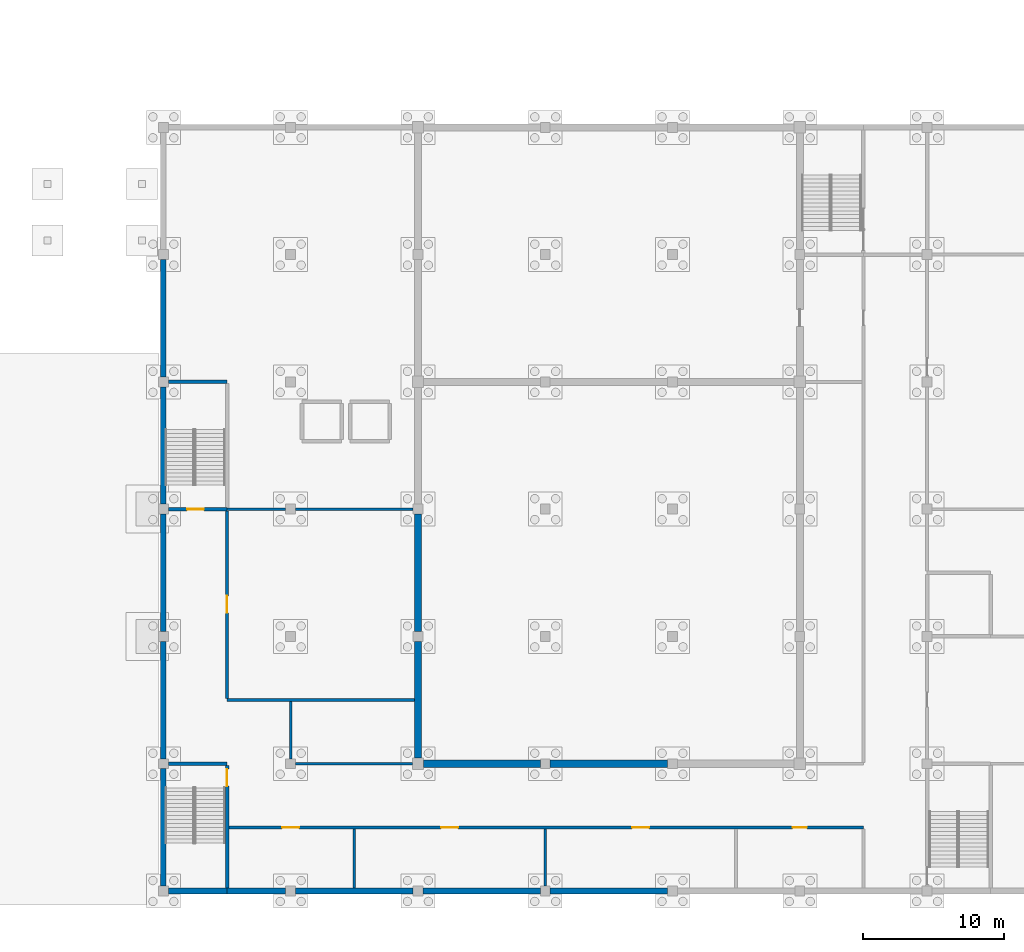
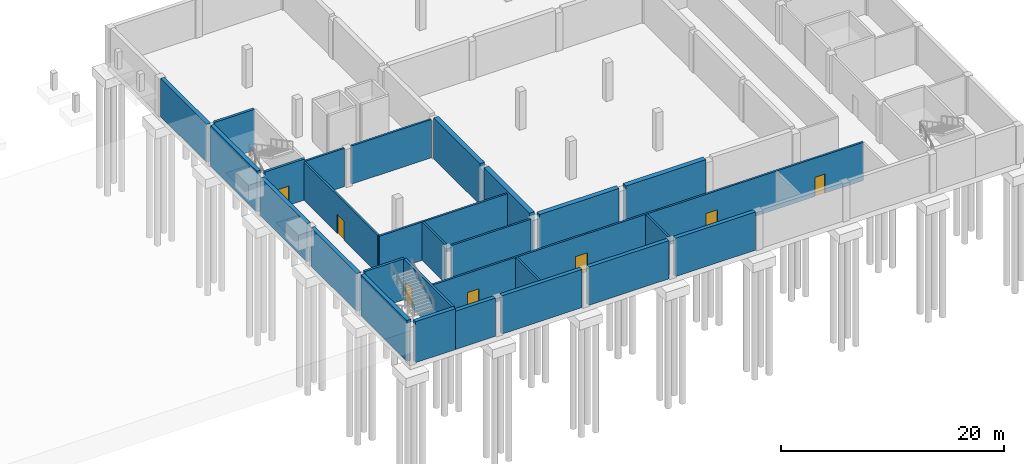
# One storey, part 6 of 12: 27 walls, 7 doors, 7 openings.
"""IFC4 building model written with IfcOpenShell, lengths in metres."""

from ifc_helpers import new_model, si_unit, direction, frame, frame_2d, origin, place, context, subcontext, project, spatial, rectangle, extrude, material, layer, layer_set, type_object, element, fill, save


model = new_model("IFC4")

# Units and contexts
model_context = context("Model", 3, precision=1e-05, world=origin(), true_north=direction((0.0, 1.0)))
body_context = subcontext(model_context, "Body", "Model", "MODEL_VIEW")
ifc_project = project(units=[si_unit("LENGTHUNIT", "METRE"), si_unit("AREAUNIT", "SQUARE_METRE"), si_unit("VOLUMEUNIT", "CUBIC_METRE"), si_unit("PLANEANGLEUNIT", "RADIAN"), si_unit("MASSUNIT", "GRAM", prefix="KILO")], contexts=[model_context])

# Site, building, storey
site_placement = place(None, origin())
site = spatial("IfcSite", under=ifc_project, at=site_placement, CompositionType="ELEMENT")
building_placement = place(site_placement, origin())
building = spatial("IfcBuilding", under=site, at=building_placement, Name="Firuza Court", CompositionType="ELEMENT")
storey_placement = place(building_placement, frame((0.0, 0.0, -4.5)))
storey = spatial("IfcBuildingStorey", under=building, at=storey_placement, Name="B1", CompositionType="ELEMENT", Elevation=-4.5)

# Wall, openings, doors
ifc_material_1 = material(Name="Blockwork", Category="masonry")
ifc_layer_1 = layer(ifc_material_1, 0.199951171875)
ifc_layer_set_1 = layer_set([ifc_layer_1], Name="Blockwork")
wall_type_1 = type_object("IfcWallType", Name="HALL PARTITION 200", PredefinedType="STANDARD", material=ifc_layer_set_1)
wall_1_placement = place(storey_placement, frame((94.625, -4.5, 0.0), z_axis=(0.0, 0.0, 1.0), x_axis=(1.0, 0.0, 0.0)))
wall_1 = element("IfcWall", 1, at=wall_1_placement, inside=storey, type_object=wall_type_1, Name="Wall B1.10", PredefinedType="STANDARD", context=body_context, shape_type="SweptSolid", body=[
    extrude(rectangle(XDim=44.875, YDim=0.199951171875, at=frame_2d((22.4375, 0.0))), origin(), (0.0, 0.0, 1.0), 4.199951171875),
])
opening_1_placement = place(wall_1_placement, frame((3.77001953125, 0.0, 0.0)))
opening_1 = element("IfcOpeningElement", 2, at=opening_1_placement, cuts=wall_1, Name="Opening H007", PredefinedType="OPENING", context=body_context, shape_type="SweptSolid", body=[
    extrude(rectangle(XDim=1.199951171875, YDim=2.10009765625, at=frame_2d((0.60009765625, 1.050048828125))), frame((0.0, 0.11181640625, 0.0), z_axis=(0.0, -1.0, 0.0), x_axis=(1.0, 0.0, 0.0)), (0.0, 0.0, 1.0), 0.223876953125),
])
opening_2_placement = place(wall_1_placement, frame((15.02001953125, 0.0, 0.0)))
opening_2 = element("IfcOpeningElement", 3, at=opening_2_placement, cuts=wall_1, Name="Opening H008", PredefinedType="OPENING", context=body_context, shape_type="SweptSolid", body=[
    extrude(rectangle(XDim=1.199951171875, YDim=2.10009765625, at=frame_2d((0.60009765625, 1.050048828125))), frame((0.0, 0.11181640625, 0.0), z_axis=(0.0, -1.0, 0.0), x_axis=(1.0, 0.0, 0.0)), (0.0, 0.0, 1.0), 0.223876953125),
])
opening_3_placement = place(wall_1_placement, frame((28.52001953125, 0.0, 0.0)))
opening_3 = element("IfcOpeningElement", 4, at=opening_3_placement, cuts=wall_1, Name="Opening H009", PredefinedType="OPENING", context=body_context, shape_type="SweptSolid", body=[
    extrude(rectangle(XDim=1.199951171875, YDim=2.10009765625, at=frame_2d((0.60009765625, 1.050048828125))), frame((0.0, 0.11181640625, 0.0), z_axis=(0.0, -1.0, 0.0), x_axis=(1.0, 0.0, 0.0)), (0.0, 0.0, 1.0), 0.223876953125),
])
opening_4_placement = place(wall_1_placement, frame((39.8701171875, 0.0, 0.0)))
opening_4 = element("IfcOpeningElement", 5, at=opening_4_placement, cuts=wall_1, Name="Opening H010", PredefinedType="OPENING", context=body_context, shape_type="SweptSolid", body=[
    extrude(rectangle(XDim=1.0, YDim=2.10009765625, at=frame_2d((0.5, 1.050048828125))), frame((0.0, 0.11181640625, 0.0), z_axis=(0.0, -1.0, 0.0), x_axis=(1.0, 0.0, 0.0)), (0.0, 0.0, 1.0), 0.223876953125),
])
ifc_material_2 = material(Name="Timber", Category="wood")
door_type_1 = type_object("IfcDoorType", Name="HALL DOOR 1000X2100", OperationType="SINGLE_SWING_LEFT", PredefinedType="DOOR", material=ifc_material_2)
door_1_placement = place(opening_4_placement, frame((1.0, 0.0, 0.0), z_axis=(0.0, 0.0, 1.0), x_axis=(-1.0, 0.0, 0.0)))
door_1 = element("IfcDoor", 6, at=door_1_placement, inside=storey, type_object=door_type_1, Name="Door Instrument store", OperationType="SINGLE_SWING_RIGHT", OverallHeight=2.10009765625, OverallWidth=1.0, PredefinedType="DOOR", context=body_context, shape_type="SweptSolid", body=[
    extrude(rectangle(XDim=1.0, YDim=2.10009765625, at=frame_2d((0.5, 1.050048828125))), frame((0.0, 0.02490234375, 0.0), z_axis=(0.0, -1.0, 0.0), x_axis=(1.0, 0.0, 0.0)), (0.0, 0.0, 1.0), 0.050048828125),
])
fill(opening_4, door_1)
ifc_material_3 = material(Name="Timber", Category="wood")
door_type_2 = type_object("IfcDoorType", Name="HALL DOOR 1200X2100", OperationType="SINGLE_SWING_LEFT", PredefinedType="DOOR", material=ifc_material_3)
door_2_placement = place(opening_1_placement, frame((1.199951171875, 0.0, 0.0), z_axis=(0.0, 0.0, 1.0), x_axis=(-1.0, 0.0, 0.0)))
door_2 = element("IfcDoor", 7, at=door_2_placement, inside=storey, type_object=door_type_2, Name="Door Switch room", OperationType="SINGLE_SWING_RIGHT", OverallHeight=2.10009765625, OverallWidth=1.199951171875, PredefinedType="DOOR", context=body_context, shape_type="SweptSolid", body=[
    extrude(rectangle(XDim=1.199951171875, YDim=2.10009765625, at=frame_2d((0.60009765625, 1.050048828125))), frame((0.0, 0.02490234375, 0.0), z_axis=(0.0, -1.0, 0.0), x_axis=(1.0, 0.0, 0.0)), (0.0, 0.0, 1.0), 0.050048828125),
])
fill(opening_1, door_2)
door_3_placement = place(opening_2_placement, frame((1.199951171875, 0.0, 0.0), z_axis=(0.0, 0.0, 1.0), x_axis=(-1.0, 0.0, 0.0)))
door_3 = element("IfcDoor", 8, at=door_3_placement, inside=storey, type_object=door_type_2, Name="Door Chiller plant room", OperationType="SINGLE_SWING_RIGHT", OverallHeight=2.10009765625, OverallWidth=1.199951171875, PredefinedType="DOOR", context=body_context, shape_type="SweptSolid", body=[
    extrude(rectangle(XDim=1.199951171875, YDim=2.10009765625, at=frame_2d((0.60009765625, 1.050048828125))), frame((0.0, 0.02490234375, 0.0), z_axis=(0.0, -1.0, 0.0), x_axis=(1.0, 0.0, 0.0)), (0.0, 0.0, 1.0), 0.050048828125),
])
fill(opening_2, door_3)
door_4_placement = place(opening_3_placement, frame((1.199951171875, 0.0, 0.0), z_axis=(0.0, 0.0, 1.0), x_axis=(-1.0, 0.0, 0.0)))
door_4 = element("IfcDoor", 9, at=door_4_placement, inside=storey, type_object=door_type_2, Name="Door Ventilation plant room", OperationType="SINGLE_SWING_RIGHT", OverallHeight=2.10009765625, OverallWidth=1.199951171875, PredefinedType="DOOR", context=body_context, shape_type="SweptSolid", body=[
    extrude(rectangle(XDim=1.199951171875, YDim=2.10009765625, at=frame_2d((0.60009765625, 1.050048828125))), frame((0.0, 0.02490234375, 0.0), z_axis=(0.0, -1.0, 0.0), x_axis=(1.0, 0.0, 0.0)), (0.0, 0.0, 1.0), 0.050048828125),
])
fill(opening_3, door_4)

# Walls
wall_2_placement = place(storey_placement, frame((99.35009765625, 0.0, 0.0), z_axis=(0.0, 0.0, 1.0), x_axis=(1.0, 0.0, 0.0)))
element("IfcWall", 10, at=wall_2_placement, inside=storey, type_object=wall_type_1, Name="Wall B1.12", PredefinedType="STANDARD", context=body_context, shape_type="SweptSolid", body=[
    extrude(rectangle(XDim=8.25, YDim=0.199951171875, at=frame_2d((4.125, 0.0))), origin(), (0.0, 0.0, 1.0), 4.199951171875),
])
wall_3_placement = place(storey_placement, frame((94.5, 4.5, 0.0), z_axis=(0.0, 0.0, 1.0), x_axis=(1.0, 0.0, 0.0)))
element("IfcWall", 11, at=wall_3_placement, inside=storey, type_object=wall_type_1, Name="Wall B1.19", PredefinedType="STANDARD", context=body_context, shape_type="SweptSolid", body=[
    extrude(rectangle(XDim=13.25, YDim=0.199951171875, at=frame_2d((6.625, 0.0))), origin(), (0.0, 0.0, 1.0), 4.199951171875),
])
wall_4_placement = place(storey_placement, frame((94.5, 18.0, 0.0), z_axis=(0.0, 0.0, 1.0), x_axis=(1.0, 0.0, 0.0)))
element("IfcWall", 12, at=wall_4_placement, inside=storey, type_object=wall_type_1, Name="Wall B1.24", PredefinedType="STANDARD", context=body_context, shape_type="SweptSolid", body=[
    extrude(rectangle(XDim=4.14990234375, YDim=0.199951171875, at=frame_2d((2.074951171875, 0.0))), origin(), (0.0, 0.0, 1.0), 4.199951171875),
])
wall_5_placement = place(storey_placement, frame((99.35009765625, 18.0, 0.0), z_axis=(0.0, 0.0, 1.0), x_axis=(1.0, 0.0, 0.0)))
element("IfcWall", 13, at=wall_5_placement, inside=storey, type_object=wall_type_1, Name="Wall B1.25", PredefinedType="STANDARD", context=body_context, shape_type="SweptSolid", body=[
    extrude(rectangle(XDim=8.2998046875, YDim=0.199951171875, at=frame_2d((4.14990234375, 0.0))), origin(), (0.0, 0.0, 1.0), 4.199951171875),
])

# Wall, opening, door
wall_6_placement = place(storey_placement, frame((94.5, 4.60009765625, 0.0), z_axis=(0.0, 0.0, 1.0), x_axis=(0.0, 1.0, 0.0)))
wall_6 = element("IfcWall", 14, at=wall_6_placement, inside=storey, type_object=wall_type_1, Name="Wall B1.54", PredefinedType="STANDARD", context=body_context, shape_type="SweptSolid", body=[
    extrude(rectangle(XDim=13.27490234375, YDim=0.199951171875, at=frame_2d((6.637451171875, 0.0))), origin(), (0.0, 0.0, 1.0), 4.199951171875),
])
opening_5_placement = place(wall_6_placement, frame((6.070068359375, 0.0, 0.0)))
opening_5 = element("IfcOpeningElement", 15, at=opening_5_placement, cuts=wall_6, Name="Opening H011", PredefinedType="OPENING", context=body_context, shape_type="SweptSolid", body=[
    extrude(rectangle(XDim=1.199951171875, YDim=2.10009765625, at=frame_2d((0.60009765625, 1.050048828125))), frame((0.0, 0.11181640625, 0.0), z_axis=(0.0, -1.0, 0.0), x_axis=(1.0, 0.0, 0.0)), (0.0, 0.0, 1.0), 0.223876953125),
])
door_5_placement = place(opening_5_placement, frame((1.199951171875, 0.0, 0.0), z_axis=(0.0, 0.0, 1.0), x_axis=(-1.0, 0.0, 0.0)))
door_5 = element("IfcDoor", 16, at=door_5_placement, inside=storey, type_object=door_type_2, Name="Door Boiler and pump room", OperationType="SINGLE_SWING_RIGHT", OverallHeight=2.10009765625, OverallWidth=1.199951171875, PredefinedType="DOOR", context=body_context, shape_type="SweptSolid", body=[
    extrude(rectangle(XDim=1.199951171875, YDim=2.10009765625, at=frame_2d((0.60009765625, 1.050048828125))), frame((0.0, 0.02490234375, 0.0), z_axis=(0.0, -1.0, 0.0), x_axis=(1.0, 0.0, 0.0)), (0.0, 0.0, 1.0), 0.050048828125),
])
fill(opening_5, door_5)

# Walls
wall_7_placement = place(storey_placement, frame((99.0, 0.35009765625, 0.0), z_axis=(0.0, 0.0, 1.0), x_axis=(0.0, 1.0, 0.0)))
element("IfcWall", 17, at=wall_7_placement, inside=storey, type_object=wall_type_1, Name="Wall B1.56", PredefinedType="STANDARD", context=body_context, shape_type="SweptSolid", body=[
    extrude(rectangle(XDim=4.0498046875, YDim=0.199951171875, at=frame_2d((2.02490234375, 0.0))), origin(), (0.0, 0.0, 1.0), 4.199951171875),
])
wall_8_placement = place(storey_placement, frame((103.5, -8.800048828125, 0.0), z_axis=(0.0, 0.0, 1.0), x_axis=(0.0, 1.0, 0.0)))
element("IfcWall", 18, at=wall_8_placement, inside=storey, type_object=wall_type_1, Name="Wall B1.60", PredefinedType="STANDARD", context=body_context, shape_type="SweptSolid", body=[
    extrude(rectangle(XDim=4.199951171875, YDim=0.199951171875, at=frame_2d((2.10009765625, 0.0))), origin(), (0.0, 0.0, 1.0), 4.199951171875),
])
wall_9_placement = place(storey_placement, frame((117.0, -8.64990234375, 0.0), z_axis=(0.0, 0.0, 1.0), x_axis=(0.0, 1.0, 0.0)))
element("IfcWall", 19, at=wall_9_placement, inside=storey, type_object=wall_type_1, Name="Wall B1.67", PredefinedType="STANDARD", context=body_context, shape_type="SweptSolid", body=[
    extrude(rectangle(XDim=4.0498046875, YDim=0.199951171875, at=frame_2d((2.02490234375, 0.0))), origin(), (0.0, 0.0, 1.0), 4.199951171875),
])
ifc_material_4 = material(Name="Concrete C40/50", Category="concrete")
ifc_layer_2 = layer(ifc_material_4, 0.25)
ifc_layer_set_2 = layer_set([ifc_layer_2], Name="Concrete C40/50")
wall_type_2 = type_object("IfcWallType", Name="HALL RC WALL 250", PredefinedType="STANDARD", material=ifc_layer_set_2)
wall_10_placement = place(storey_placement, frame((90.35009765625, 0.0, 0.0), z_axis=(0.0, 0.0, 1.0), x_axis=(1.0, 0.0, 0.0)))
element("IfcWall", 20, at=wall_10_placement, inside=storey, type_object=wall_type_2, Name="Wall B1.11", PredefinedType="STANDARD", context=body_context, shape_type="SweptSolid", body=[
    extrude(rectangle(XDim=4.14990234375, YDim=0.25, at=frame_2d((2.074951171875, 0.0))), origin(), (0.0, 0.0, 1.0), 4.5),
])

# Wall, opening, door
wall_11_placement = place(storey_placement, frame((90.35009765625, 18.0, 0.0), z_axis=(0.0, 0.0, 1.0), x_axis=(1.0, 0.0, 0.0)))
wall_11 = element("IfcWall", 21, at=wall_11_placement, inside=storey, type_object=wall_type_2, Name="Wall B1.23", PredefinedType="STANDARD", context=body_context, shape_type="SweptSolid", body=[
    extrude(rectangle(XDim=4.14990234375, YDim=0.25, at=frame_2d((2.074951171875, 0.0))), origin(), (0.0, 0.0, 1.0), 4.5),
])
opening_6_placement = place(wall_11_placement, frame((1.320068359375, 0.0, 0.0)))
opening_6 = element("IfcOpeningElement", 22, at=opening_6_placement, cuts=wall_11, Name="Opening H006", PredefinedType="OPENING", context=body_context, shape_type="SweptSolid", body=[
    extrude(rectangle(XDim=1.199951171875, YDim=2.10009765625, at=frame_2d((0.60009765625, 1.050048828125))), frame((0.0, 0.136962890625, 0.0), z_axis=(0.0, -1.0, 0.0), x_axis=(1.0, 0.0, 0.0)), (0.0, 0.0, 1.0), 0.27392578125),
])
door_6_placement = place(opening_6_placement, origin())
door_6 = element("IfcDoor", 23, at=door_6_placement, inside=storey, type_object=door_type_2, Name="Stair H3 door", OperationType="SINGLE_SWING_LEFT", OverallHeight=2.10009765625, OverallWidth=1.199951171875, PredefinedType="DOOR", context=body_context, shape_type="SweptSolid", body=[
    extrude(rectangle(XDim=1.199951171875, YDim=2.10009765625, at=frame_2d((0.60009765625, 1.050048828125))), frame((0.0, 0.02490234375, 0.0), z_axis=(0.0, -1.0, 0.0), x_axis=(1.0, 0.0, 0.0)), (0.0, 0.0, 1.0), 0.050048828125),
])
fill(opening_6, door_6)

# Wall
wall_12_placement = place(storey_placement, frame((90.35009765625, 27.0, 0.0), z_axis=(0.0, 0.0, 1.0), x_axis=(1.0, 0.0, 0.0)))
element("IfcWall", 24, at=wall_12_placement, inside=storey, type_object=wall_type_2, Name="Wall B1.31", PredefinedType="STANDARD", context=body_context, shape_type="SweptSolid", body=[
    extrude(rectangle(XDim=4.14990234375, YDim=0.25, at=frame_2d((2.074951171875, 0.0))), origin(), (0.0, 0.0, 1.0), 4.5),
])

# Wall, opening, door
wall_13_placement = place(storey_placement, frame((94.5, -8.800048828125, 0.0), z_axis=(0.0, 0.0, 1.0), x_axis=(0.0, 1.0, 0.0)))
wall_13 = element("IfcWall", 25, at=wall_13_placement, inside=storey, type_object=wall_type_2, Name="Wall B1.53", PredefinedType="STANDARD", context=body_context, shape_type="SweptSolid", body=[
    extrude(rectangle(XDim=8.675048828125, YDim=0.25, at=frame_2d((4.33740234375, 0.0))), origin(), (0.0, 0.0, 1.0), 4.5),
])
opening_7_placement = place(wall_13_placement, frame((7.219970703125, 0.0, 0.0)))
opening_7 = element("IfcOpeningElement", 26, at=opening_7_placement, cuts=wall_13, Name="Opening H004", PredefinedType="OPENING", context=body_context, shape_type="SweptSolid", body=[
    extrude(rectangle(XDim=1.199951171875, YDim=2.10009765625, at=frame_2d((0.60009765625, 1.050048828125))), frame((0.0, 0.136962890625, 0.0), z_axis=(0.0, -1.0, 0.0), x_axis=(1.0, 0.0, 0.0)), (0.0, 0.0, 1.0), 0.27392578125),
])
door_7_placement = place(opening_7_placement, origin())
door_7 = element("IfcDoor", 27, at=door_7_placement, inside=storey, type_object=door_type_2, Name="Stair H1 door", OperationType="SINGLE_SWING_RIGHT", OverallHeight=2.10009765625, OverallWidth=1.199951171875, PredefinedType="DOOR", context=body_context, shape_type="SweptSolid", body=[
    extrude(rectangle(XDim=1.199951171875, YDim=2.10009765625, at=frame_2d((0.60009765625, 1.050048828125))), frame((0.0, 0.02490234375, 0.0), z_axis=(0.0, -1.0, 0.0), x_axis=(1.0, 0.0, 0.0)), (0.0, 0.0, 1.0), 0.050048828125),
])
fill(opening_7, door_7)

# Walls
ifc_layer_3 = layer(ifc_material_4, 0.39990234375)
ifc_layer_set_3 = layer_set([ifc_layer_3], Name="Concrete C40/50")
wall_type_3 = type_object("IfcWallType", Name="HALL RC WALL 400", PredefinedType="STANDARD", material=ifc_layer_set_3)
wall_14_placement = place(storey_placement, frame((90.35009765625, -9.0, 0.0), z_axis=(0.0, 0.0, 1.0), x_axis=(1.0, 0.0, 0.0)))
element("IfcWall", 28, at=wall_14_placement, inside=storey, type_object=wall_type_3, Name="Wall B1.1", PredefinedType="STANDARD", context=body_context, shape_type="SweptSolid", body=[
    extrude(rectangle(XDim=4.14990234375, YDim=0.39990234375, at=frame_2d((2.074951171875, 0.0))), origin(), (0.0, 0.0, 1.0), 4.5),
])
wall_15_placement = place(storey_placement, frame((94.5, -9.0, 0.0), z_axis=(0.0, 0.0, 1.0), x_axis=(1.0, 0.0, 0.0)))
element("IfcWall", 29, at=wall_15_placement, inside=storey, type_object=wall_type_3, Name="Wall B1.2", PredefinedType="STANDARD", context=body_context, shape_type="SweptSolid", body=[
    extrude(rectangle(XDim=4.14990234375, YDim=0.39990234375, at=frame_2d((2.074951171875, 0.0))), origin(), (0.0, 0.0, 1.0), 4.199951171875),
])
for number, where, z_axis, x_axis, name in (
    (30, (99.35009765625, -9.0, 0.0), (0.0, 0.0, 1.0), (1.0, 0.0, 0.0), "Wall B1.3"),
    (31, (108.35009765625, -9.0, 0.0), (0.0, 0.0, 1.0), (1.0, 0.0, 0.0), "Wall B1.4"),
    (32, (117.35009765625, -9.0, 0.0), (0.0, 0.0, 1.0), (1.0, 0.0, 0.0), "Wall B1.5"),
):
    element("IfcWall", number, at=place(storey_placement, frame(where, z_axis=z_axis, x_axis=x_axis)), inside=storey, type_object=wall_type_3, Name=name, PredefinedType="STANDARD", context=body_context, shape_type="SweptSolid", body=[
        extrude(rectangle(XDim=8.2998046875, YDim=0.39990234375, at=frame_2d((4.14990234375, 0.0))), origin(), (0.0, 0.0, 1.0), 4.199951171875),
    ])
wall_16_placement = place(storey_placement, frame((90.0, -8.64990234375, 0.0), z_axis=(0.0, 0.0, 1.0), x_axis=(0.0, 1.0, 0.0)))
element("IfcWall", 33, at=wall_16_placement, inside=storey, type_object=wall_type_3, Name="Wall B1.47", PredefinedType="STANDARD", context=body_context, shape_type="SweptSolid", body=[
    extrude(rectangle(XDim=8.2998046875, YDim=0.39990234375, at=frame_2d((4.14990234375, 0.0))), origin(), (0.0, 0.0, 1.0), 4.5),
])
for number, where, z_axis, x_axis, name in (
    (34, (90.0, 0.35009765625, 0.0), (0.0, 0.0, 1.0), (0.0, 1.0, 0.0), "Wall B1.48"),
    (35, (90.0, 9.35009765625, 0.0), (0.0, 0.0, 1.0), (0.0, 1.0, 0.0), "Wall B1.49"),
):
    element("IfcWall", number, at=place(storey_placement, frame(where, z_axis=z_axis, x_axis=x_axis)), inside=storey, type_object=wall_type_3, Name=name, PredefinedType="STANDARD", context=body_context, shape_type="SweptSolid", body=[
        extrude(rectangle(XDim=8.2998046875, YDim=0.39990234375, at=frame_2d((4.14990234375, 0.0))), origin(), (0.0, 0.0, 1.0), 4.199951171875),
    ])
wall_17_placement = place(storey_placement, frame((90.0, 18.35009765625, 0.0), z_axis=(0.0, 0.0, 1.0), x_axis=(0.0, 1.0, 0.0)))
element("IfcWall", 36, at=wall_17_placement, inside=storey, type_object=wall_type_3, Name="Wall B1.50", PredefinedType="STANDARD", context=body_context, shape_type="SweptSolid", body=[
    extrude(rectangle(XDim=8.2998046875, YDim=0.39990234375, at=frame_2d((4.14990234375, 0.0))), origin(), (0.0, 0.0, 1.0), 4.5),
])
wall_18_placement = place(storey_placement, frame((90.0, 27.35009765625, 0.0), z_axis=(0.0, 0.0, 1.0), x_axis=(0.0, 1.0, 0.0)))
element("IfcWall", 37, at=wall_18_placement, inside=storey, type_object=wall_type_3, Name="Wall B1.51", PredefinedType="STANDARD", context=body_context, shape_type="SweptSolid", body=[
    extrude(rectangle(XDim=8.2998046875, YDim=0.39990234375, at=frame_2d((4.14990234375, 0.0))), origin(), (0.0, 0.0, 1.0), 4.199951171875),
])
ifc_layer_4 = layer(ifc_material_4, 0.5)
ifc_layer_set_4 = layer_set([ifc_layer_4], Name="Concrete C40/50")
wall_type_4 = type_object("IfcWallType", Name="HALL RC WALL 500", PredefinedType="STANDARD", material=ifc_layer_set_4)
wall_19_placement = place(storey_placement, frame((108.39990234375, 0.0, 0.0), z_axis=(0.0, 0.0, 1.0), x_axis=(1.0, 0.0, 0.0)))
element("IfcWall", 38, at=wall_19_placement, inside=storey, type_object=wall_type_4, Name="Wall B1.13", PredefinedType="STANDARD", context=body_context, shape_type="SweptSolid", body=[
    extrude(rectangle(XDim=8.25, YDim=0.5, at=frame_2d((4.125, 0.0))), origin(), (0.0, 0.0, 1.0), 4.5),
])
wall_20_placement = place(storey_placement, frame((117.35009765625, 0.0, 0.0), z_axis=(0.0, 0.0, 1.0), x_axis=(1.0, 0.0, 0.0)))
element("IfcWall", 39, at=wall_20_placement, inside=storey, type_object=wall_type_4, Name="Wall B1.14", PredefinedType="STANDARD", context=body_context, shape_type="SweptSolid", body=[
    extrude(rectangle(XDim=8.2998046875, YDim=0.5, at=frame_2d((4.14990234375, 0.0))), origin(), (0.0, 0.0, 1.0), 4.5),
])
wall_21_placement = place(storey_placement, frame((108.0, 0.39990234375, 0.0), z_axis=(0.0, 0.0, 1.0), x_axis=(0.0, 1.0, 0.0)))
element("IfcWall", 40, at=wall_21_placement, inside=storey, type_object=wall_type_4, Name="Wall B1.62", PredefinedType="STANDARD", context=body_context, shape_type="SweptSolid", body=[
    extrude(rectangle(XDim=8.25, YDim=0.5, at=frame_2d((4.125, 0.0))), origin(), (0.0, 0.0, 1.0), 4.5),
])
wall_22_placement = place(storey_placement, frame((108.0, 9.35009765625, 0.0), z_axis=(0.0, 0.0, 1.0), x_axis=(0.0, 1.0, 0.0)))
element("IfcWall", 41, at=wall_22_placement, inside=storey, type_object=wall_type_4, Name="Wall B1.63", PredefinedType="STANDARD", context=body_context, shape_type="SweptSolid", body=[
    extrude(rectangle(XDim=8.2998046875, YDim=0.5, at=frame_2d((4.14990234375, 0.0))), origin(), (0.0, 0.0, 1.0), 4.5),
])

save(model, "model.ifc")
